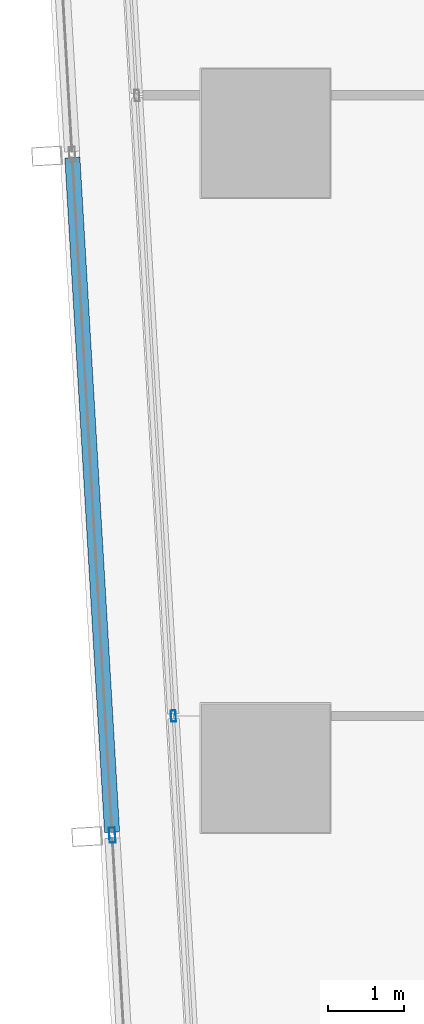
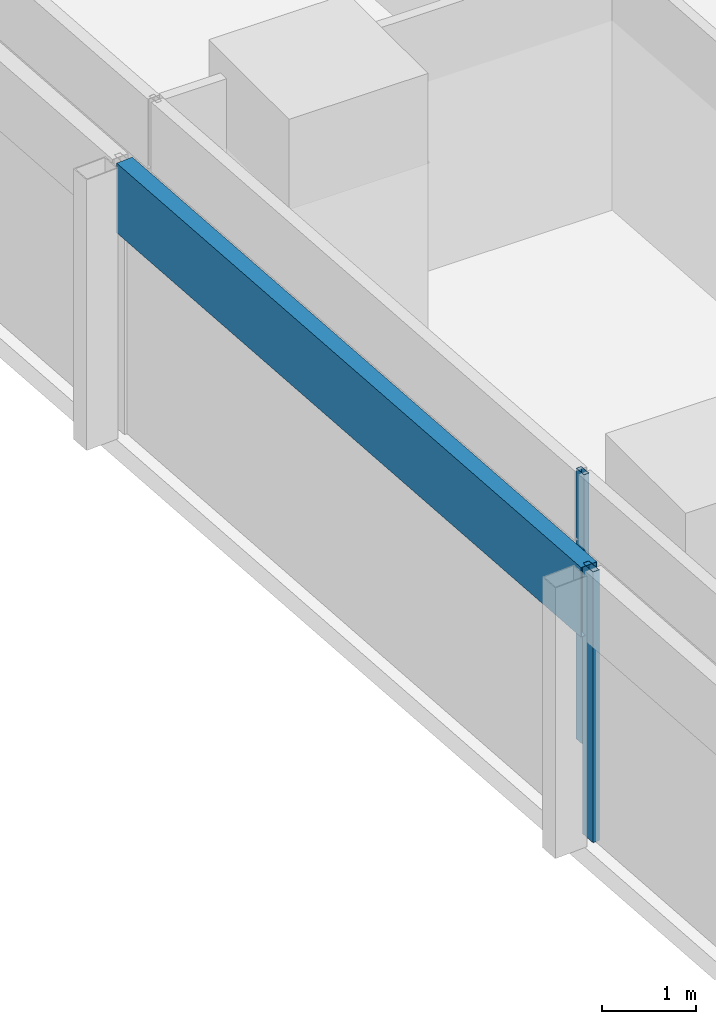
# One storey, part 5 of 34: 3 members, 2 elements without a shape of their own.
"""IFC4 building model written with IfcOpenShell, lengths in metres."""

import ifcopenshell
import ifcopenshell.guid

model = None  # the IFC model being written
_history = None  # IfcOwnerHistory: only IFC2X3 demands one
_inside = {}  # id of a spatial element -> (the spatial element, [elements in it])
_under = {}  # id of a project, library or spatial element -> (it, [spatial elements below it])
_declared = {}  # id of a project -> (the project, [libraries it declares])
_typed = {}  # id of a type object -> (the type object, [elements of that type])
_made_of = {}  # id of a material, layer set ... -> (it, [elements and type objects made of it])


def new_model(schema):
    """Start an empty IFC model of exactly this schema.

    Asked for "IFC4X3", IfcOpenShell would pick the latest addendum, in which some entities
    have other attributes; the version numbers below select the first issue.
    IFC2X3 requires an IfcOwnerHistory on every rooted entity: one is made here for all.
    """
    global model, _history
    if schema == "IFC4X3":
        model = ifcopenshell.file(schema_version=(4, 3, 0, 0))
    else:
        model = ifcopenshell.file(schema=schema)
    _inside.clear()
    _under.clear()
    _declared.clear()
    _typed.clear()
    _made_of.clear()
    _history = None
    if model.schema == "IFC2X3":
        org = make("IfcOrganization", Name="unknown")
        user = make(
            "IfcPersonAndOrganization",
            ThePerson=make("IfcPerson", FamilyName="unknown"),
            TheOrganization=org,
        )
        app = make(
            "IfcApplication",
            ApplicationDeveloper=org,
            Version="unknown",
            ApplicationFullName="unknown",
            ApplicationIdentifier="unknown",
        )
        _history = make(
            "IfcOwnerHistory",
            OwningUser=user,
            OwningApplication=app,
            ChangeAction="ADDED",
            CreationDate=0,
        )
    return model


def make(cls, **values):
    """One entity of the class cls with the attributes given. An attribute that is None is left unset."""
    return model.create_entity(
        cls, **{name: value for name, value in values.items() if value is not None}
    )


def rooted(cls, **values):
    """An entity with a GlobalId (a new one), such as an element, a storey or a relation."""
    return make(cls, GlobalId=ifcopenshell.guid.new(), OwnerHistory=_history, **values)


def si_unit(unit_type, name, prefix=None):
    """IfcSIUnit, for example si_unit("LENGTHUNIT", "METRE", prefix="MILLI")."""
    return make("IfcSIUnit", UnitType=unit_type, Prefix=prefix, Name=name)


def assignment(units):
    """IfcUnitAssignment: the units of a project."""
    return None if units is None else make("IfcUnitAssignment", Units=units)


def point(xyz):
    """IfcCartesianPoint."""
    return None if xyz is None else make("IfcCartesianPoint", Coordinates=xyz)


def direction(xyz):
    """IfcDirection."""
    return None if xyz is None else make("IfcDirection", DirectionRatios=xyz)


def frame(location, z_axis=None, x_axis=None):
    """IfcAxis2Placement3D, a coordinate frame: its origin and axes. An axis left out is left unset."""
    return make(
        "IfcAxis2Placement3D",
        Location=point(location),
        Axis=direction(z_axis),
        RefDirection=direction(x_axis),
    )


def frame_2d(location, x_axis=None):
    """IfcAxis2Placement2D, a coordinate frame in the plane: its origin and x axis."""
    return make(
        "IfcAxis2Placement2D", Location=point(location), RefDirection=direction(x_axis)
    )


def origin():
    """The frame at (0, 0, 0) with its axes left unset."""
    return frame((0.0, 0.0, 0.0))


def origin_2d():
    """The frame at (0, 0) in the plane with its x axis left unset."""
    return frame_2d((0.0, 0.0))


def place(relative_to, where):
    """IfcLocalPlacement: puts the frame where relative to a parent placement (None: the world)."""
    return make(
        "IfcLocalPlacement", PlacementRelTo=relative_to, RelativePlacement=where
    )


def context(
    kind, dimensions, precision=None, world=None, true_north=None, identifier=None
):
    """IfcGeometricRepresentationContext, for example the 3D "Model" context."""
    return make(
        "IfcGeometricRepresentationContext",
        ContextIdentifier=identifier,
        ContextType=kind,
        CoordinateSpaceDimension=dimensions,
        Precision=precision,
        WorldCoordinateSystem=world,
        TrueNorth=true_north,
    )


def subcontext(parent, identifier, kind, view, scale=None):
    """IfcGeometricRepresentationSubContext, for example "Body" below "Model"."""
    return make(
        "IfcGeometricRepresentationSubContext",
        ContextIdentifier=identifier,
        ContextType=kind,
        ParentContext=parent,
        TargetScale=scale,
        TargetView=view,
    )


def project(units=None, contexts=None):
    """IfcProject with its units and contexts."""
    return rooted(
        "IfcProject",
        Name="project",
        RepresentationContexts=contexts,
        UnitsInContext=assignment(units),
    )


def spatial(cls, under=None, at=None, **own):
    """A site, building, storey or space (cls), placed at a placement, below another one or the project."""
    s = rooted(cls, ObjectPlacement=at, **own)
    if under is not None:
        _under.setdefault(under.id(), (under, []))[1].append(s)
    return s


def profile(cls, at=None, kind="AREA", **sizes):
    """A parametric profile (cls). Its sizes go by their IFC names, for example OverallWidth=200.0."""
    return make(cls, ProfileType=kind, Position=at, **sizes)


def hollow_rectangle(**sizes):
    """IfcRectangleHollowProfileDef."""
    return profile("IfcRectangleHollowProfileDef", **sizes)


def extrude(swept, where, along, depth):
    """IfcExtrudedAreaSolid: the profile swept, set in the frame where, extruded along a direction by depth."""
    return make(
        "IfcExtrudedAreaSolid",
        SweptArea=swept,
        Position=where,
        ExtrudedDirection=direction(along),
        Depth=depth,
    )


def shape(context_of_items, identifier, shape_type, items):
    """IfcShapeRepresentation: the items that make up one representation, for example the "Body"."""
    return make(
        "IfcShapeRepresentation",
        ContextOfItems=context_of_items,
        RepresentationIdentifier=identifier,
        RepresentationType=shape_type,
        Items=items,
    )


def material(Name=None, Category=None):
    """IfcMaterial."""
    return make("IfcMaterial", Name=Name, Category=Category)


def material_profile(
    of_material, cross_section, Name=None, Category=None, Priority=None
):
    """IfcMaterialProfile: a cross section and its material."""
    return make(
        "IfcMaterialProfile",
        Name=Name,
        Material=of_material,
        Profile=cross_section,
        Priority=Priority,
        Category=Category,
    )


def profile_set(profiles, Name=None, composite=None):
    """IfcMaterialProfileSet."""
    return make(
        "IfcMaterialProfileSet",
        Name=Name,
        MaterialProfiles=profiles,
        CompositeProfile=composite,
    )


def made_of(thing, what):
    """Note that an element or type object is made of a material, layer set ...; save() writes the relation."""
    if what is not None:
        _made_of.setdefault(what.id(), (what, []))[1].append(thing)
    return thing


def type_object(cls, material=None, **own):
    """A type object (cls), such as IfcWallType, which elements share."""
    return made_of(rooted(cls, **own), material)


def element(
    cls,
    number,
    at=None,
    inside=None,
    cuts=None,
    type_object=None,
    material=None,
    context=None,
    identifier="Body",
    shape_type=None,
    held_by="IfcProductDefinitionShape",
    body=None,
    shapes=None,
    **own,
):
    """One element of the class cls, such as IfcWall. Its Tag is "e" and its number.

    at: its placement. inside: the storey or other place that contains it. cuts: it is an
    opening in that element (IfcRelVoidsElement). A single representation is given by context,
    identifier, shape_type and body (its items); several are given by shapes. held_by: the class
    of the entity that holds the representations. save() writes the other relations.
    """
    e = rooted(cls, Tag="e%d" % number, ObjectPlacement=at, **own)
    if body is not None:
        shapes = [shape(context, identifier, shape_type, body)]
    if shapes is not None:
        e.Representation = make(held_by, Representations=shapes)
    if inside is not None:
        _inside.setdefault(inside.id(), (inside, []))[1].append(e)
    if cuts is not None:
        rooted(
            "IfcRelVoidsElement", RelatingBuildingElement=cuts, RelatedOpeningElement=e
        )
    if type_object is not None:
        _typed.setdefault(type_object.id(), (type_object, []))[1].append(e)
    return made_of(e, material)


def aggregate(whole, parts):
    """IfcRelAggregates: a whole, such as a stair, and the parts it consists of."""
    return rooted("IfcRelAggregates", RelatingObject=whole, RelatedObjects=parts)


def save(model, path):
    """Write the relations noted so far, then the file.

    IfcRelAggregates (storeys below a building ...), IfcRelContainedInSpatialStructure (elements
    in a storey), IfcRelDefinesByType, IfcRelAssociatesMaterial and IfcRelDeclares: one each for
    every whole, place, type object, material and project.
    """
    for whole, parts in _under.values():
        aggregate(whole, parts)
    for where, things in _inside.values():
        rooted(
            "IfcRelContainedInSpatialStructure",
            RelatedElements=things,
            RelatingStructure=where,
        )
    for kind, things in _typed.values():
        rooted("IfcRelDefinesByType", RelatedObjects=things, RelatingType=kind)
    for what, things in _made_of.values():
        rooted("IfcRelAssociatesMaterial", RelatedObjects=things, RelatingMaterial=what)
    for by, libraries in _declared.values():
        rooted("IfcRelDeclares", RelatingContext=by, RelatedDefinitions=libraries)
    model.write(path)


model = new_model("IFC4")

# Units and contexts
model_context = context("Model", 3, precision=1e-05, world=origin(), true_north=direction((0.0, 1.0)))
body_context = subcontext(model_context, "Body", "Model", "MODEL_VIEW")
ifc_project = project(units=[si_unit("LENGTHUNIT", "METRE"), si_unit("AREAUNIT", "SQUARE_METRE"), si_unit("VOLUMEUNIT", "CUBIC_METRE"), si_unit("PLANEANGLEUNIT", "RADIAN"), si_unit("MASSUNIT", "GRAM", prefix="KILO")], contexts=[model_context])

# Site, building, storey
site_placement = place(None, origin())
site = spatial("IfcSite", under=ifc_project, at=site_placement, CompositionType="ELEMENT")
building_placement = place(site_placement, origin())
building = spatial("IfcBuilding", under=site, at=building_placement, Name="Rekha Terrace Tower", CompositionType="ELEMENT")
storey_placement = place(building_placement, frame((0.0, 0.0, 176.449951171875)))
storey = spatial("IfcBuildingStorey", under=building, at=storey_placement, Name="L44", CompositionType="ELEMENT", Elevation=176.449951171875)

# Curtain wall, member
ifc_material_1 = material(Name="Aluminium framing", Category="aluminium")
curtain_wall_type_1 = type_object("IfcCurtainWallType", Name="CW1 double skin inner glazing", PredefinedType="USERDEFINED", material=ifc_material_1)
curtain_wall_1_placement = place(storey_placement, origin())
curtain_wall_1 = element("IfcCurtainWall", 1, at=curtain_wall_1_placement, inside=storey, type_object=curtain_wall_type_1, Name="CW1 double skin inner glazing", ObjectType="DOUBLE SKIN INNER GLAZING", PredefinedType="USERDEFINED")
ifc_material_2 = material(Name="Aluminium mullion section", Category="aluminium")
ifc_material_profile_1 = material_profile(ifc_material_2, hollow_rectangle(XDim=0.06494140625, YDim=0.14990234375, WallThickness=0.00390625, at=origin_2d()), Name="AL RHS 65x150")
ifc_profile_set_1 = profile_set([ifc_material_profile_1], Name="Aluminium mullion section")
member_type_1 = type_object("IfcMemberType", Name="CW1 mullion RHS 65 x 150", PredefinedType="MULLION", material=ifc_profile_set_1)
member_1_placement = place(storey_placement, frame((7.1796875, 25.888427734375, 0.0), z_axis=(0.0, 0.0, 1.0), x_axis=(0.998271839267, 0.058765082551, 0.0)))
member_1 = element("IfcMember", 2, at=member_1_placement, type_object=member_type_1, Name="CW1 mullion 3", PredefinedType="MULLION", context=body_context, shape_type="SweptSolid", body=[
    extrude(hollow_rectangle(XDim=0.06494140625, YDim=0.14990234375, WallThickness=0.00390625, at=origin_2d()), origin(), (0.0, 0.0, 1.0), 3.5),
])
aggregate(curtain_wall_1, [member_1])

# Curtain wall, members
curtain_wall_type_2 = type_object("IfcCurtainWallType", Name="CW2 double skin outer glazing", PredefinedType="USERDEFINED", material=ifc_material_1)
curtain_wall_2_placement = place(storey_placement, origin())
curtain_wall_2 = element("IfcCurtainWall", 3, at=curtain_wall_2_placement, inside=storey, type_object=curtain_wall_type_2, Name="CW2 double skin outer glazing", ObjectType="DOUBLE SKIN OUTER GLAZING", PredefinedType="USERDEFINED")
ifc_material_profile_2 = material_profile(ifc_material_2, hollow_rectangle(XDim=0.080078125, YDim=0.199951171875, WallThickness=0.00390625, at=origin_2d()), Name="AL RHS 80x200")
ifc_profile_set_2 = profile_set([ifc_material_profile_2], Name="Aluminium mullion section")
member_type_2 = type_object("IfcMemberType", Name="CW2 mullion RHS 80 x 200", PredefinedType="MULLION", material=ifc_profile_set_2)
member_2_placement = place(storey_placement, frame((6.370849609375, 24.31201171875, 0.0), z_axis=(0.0, 0.0, 1.0), x_axis=(0.99827183927, 0.058765082499, 0.0)))
member_2 = element("IfcMember", 4, at=member_2_placement, type_object=member_type_2, Name="CW2 mullion 3", PredefinedType="MULLION", context=body_context, shape_type="SweptSolid", body=[
    extrude(hollow_rectangle(XDim=0.080078125, YDim=0.199951171875, WallThickness=0.00390625, at=origin_2d()), origin(), (0.0, 0.0, 1.0), 3.5),
])
ifc_material_3 = material(Name="Insulated aluminium spandrel box", Category="aluminium")
ifc_material_profile_3 = material_profile(ifc_material_3, hollow_rectangle(XDim=0.199951171875, YDim=0.89990234375, WallThickness=0.0029296875, at=origin_2d()), Name="AL SPANDREL BOX 200x900")
ifc_profile_set_3 = profile_set([ifc_material_profile_3], Name="Insulated aluminium spandrel box")
member_type_3 = type_object("IfcMemberType", Name="CW2 spandrel transom 200 x 900", PredefinedType="USERDEFINED", material=ifc_profile_set_3)
member_3_placement = place(storey_placement, frame((5.843017578125, 33.27978515625, 3.050048828125), z_axis=(0.058773229711, -0.998271359636, 0.0), x_axis=(0.998271359636, 0.058773229711, 0.0)))
member_3 = element("IfcMember", 5, at=member_3_placement, type_object=member_type_3, Name="CW2 spandrel transom 2", ObjectType="TRANSOM", PredefinedType="USERDEFINED", context=body_context, shape_type="SweptSolid", body=[
    extrude(hollow_rectangle(XDim=0.199951171875, YDim=0.89990234375, WallThickness=0.0029296875, at=origin_2d()), origin(), (0.0, 0.0, 1.0), 8.943359375),
])
aggregate(curtain_wall_2, [member_2, member_3])

save(model, "model.ifc")
